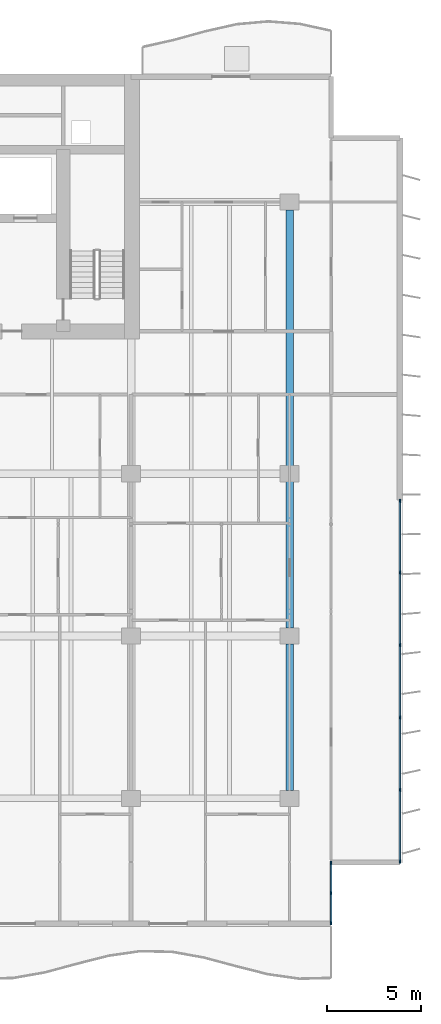
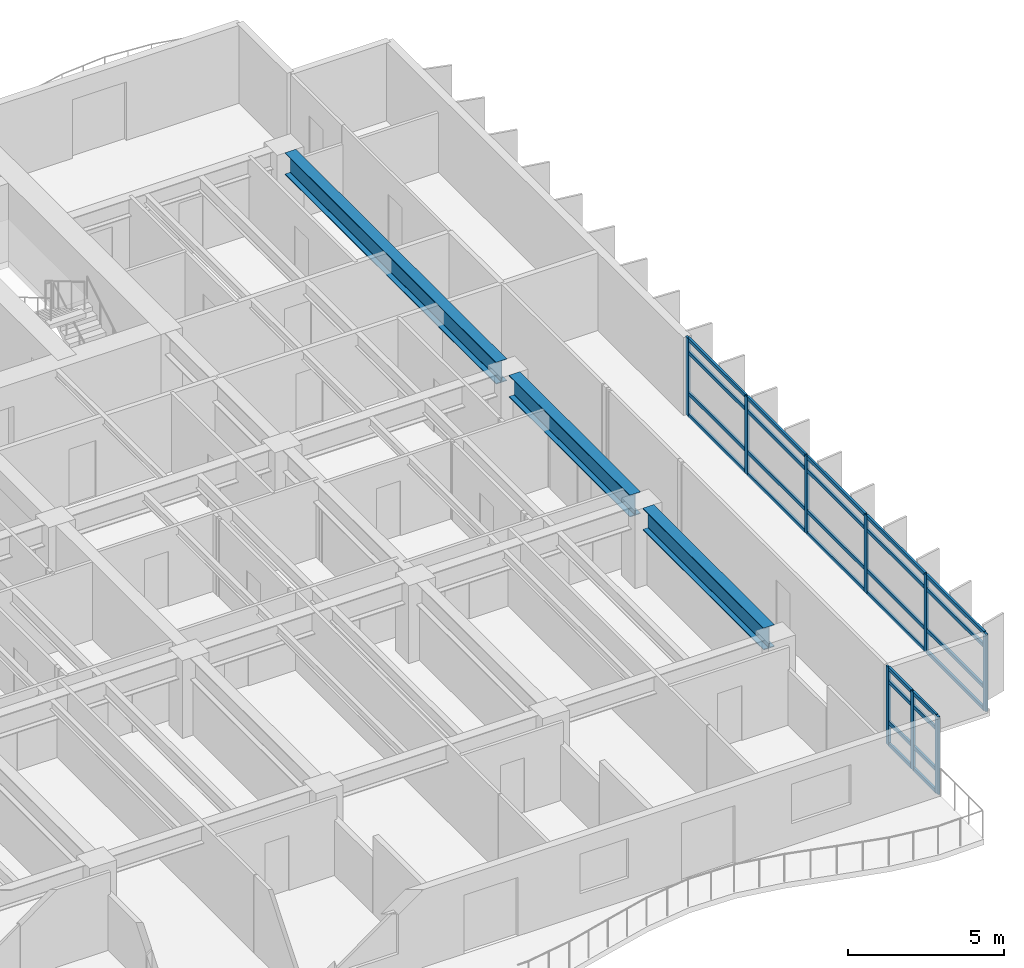
# One storey, part 4 of 19: 37 members, 3 beams, 2 elements without a shape of their own.
"""IFC4 building model written with IfcOpenShell, lengths in metres."""

import ifcopenshell
import ifcopenshell.guid

model = None  # the IFC model being written
_history = None  # IfcOwnerHistory: only IFC2X3 demands one
_inside = {}  # id of a spatial element -> (the spatial element, [elements in it])
_under = {}  # id of a project, library or spatial element -> (it, [spatial elements below it])
_declared = {}  # id of a project -> (the project, [libraries it declares])
_typed = {}  # id of a type object -> (the type object, [elements of that type])
_made_of = {}  # id of a material, layer set ... -> (it, [elements and type objects made of it])


def new_model(schema):
    """Start an empty IFC model of exactly this schema.

    Asked for "IFC4X3", IfcOpenShell would pick the latest addendum, in which some entities
    have other attributes; the version numbers below select the first issue.
    IFC2X3 requires an IfcOwnerHistory on every rooted entity: one is made here for all.
    """
    global model, _history
    if schema == "IFC4X3":
        model = ifcopenshell.file(schema_version=(4, 3, 0, 0))
    else:
        model = ifcopenshell.file(schema=schema)
    _inside.clear()
    _under.clear()
    _declared.clear()
    _typed.clear()
    _made_of.clear()
    _history = None
    if model.schema == "IFC2X3":
        org = make("IfcOrganization", Name="unknown")
        user = make(
            "IfcPersonAndOrganization",
            ThePerson=make("IfcPerson", FamilyName="unknown"),
            TheOrganization=org,
        )
        app = make(
            "IfcApplication",
            ApplicationDeveloper=org,
            Version="unknown",
            ApplicationFullName="unknown",
            ApplicationIdentifier="unknown",
        )
        _history = make(
            "IfcOwnerHistory",
            OwningUser=user,
            OwningApplication=app,
            ChangeAction="ADDED",
            CreationDate=0,
        )
    return model


def make(cls, **values):
    """One entity of the class cls with the attributes given. An attribute that is None is left unset."""
    return model.create_entity(
        cls, **{name: value for name, value in values.items() if value is not None}
    )


def rooted(cls, **values):
    """An entity with a GlobalId (a new one), such as an element, a storey or a relation."""
    return make(cls, GlobalId=ifcopenshell.guid.new(), OwnerHistory=_history, **values)


def si_unit(unit_type, name, prefix=None):
    """IfcSIUnit, for example si_unit("LENGTHUNIT", "METRE", prefix="MILLI")."""
    return make("IfcSIUnit", UnitType=unit_type, Prefix=prefix, Name=name)


def assignment(units):
    """IfcUnitAssignment: the units of a project."""
    return None if units is None else make("IfcUnitAssignment", Units=units)


def point(xyz):
    """IfcCartesianPoint."""
    return None if xyz is None else make("IfcCartesianPoint", Coordinates=xyz)


def direction(xyz):
    """IfcDirection."""
    return None if xyz is None else make("IfcDirection", DirectionRatios=xyz)


def frame(location, z_axis=None, x_axis=None):
    """IfcAxis2Placement3D, a coordinate frame: its origin and axes. An axis left out is left unset."""
    return make(
        "IfcAxis2Placement3D",
        Location=point(location),
        Axis=direction(z_axis),
        RefDirection=direction(x_axis),
    )


def frame_2d(location, x_axis=None):
    """IfcAxis2Placement2D, a coordinate frame in the plane: its origin and x axis."""
    return make(
        "IfcAxis2Placement2D", Location=point(location), RefDirection=direction(x_axis)
    )


def origin():
    """The frame at (0, 0, 0) with its axes left unset."""
    return frame((0.0, 0.0, 0.0))


def origin_2d():
    """The frame at (0, 0) in the plane with its x axis left unset."""
    return frame_2d((0.0, 0.0))


def place(relative_to, where):
    """IfcLocalPlacement: puts the frame where relative to a parent placement (None: the world)."""
    return make(
        "IfcLocalPlacement", PlacementRelTo=relative_to, RelativePlacement=where
    )


def context(
    kind, dimensions, precision=None, world=None, true_north=None, identifier=None
):
    """IfcGeometricRepresentationContext, for example the 3D "Model" context."""
    return make(
        "IfcGeometricRepresentationContext",
        ContextIdentifier=identifier,
        ContextType=kind,
        CoordinateSpaceDimension=dimensions,
        Precision=precision,
        WorldCoordinateSystem=world,
        TrueNorth=true_north,
    )


def subcontext(parent, identifier, kind, view, scale=None):
    """IfcGeometricRepresentationSubContext, for example "Body" below "Model"."""
    return make(
        "IfcGeometricRepresentationSubContext",
        ContextIdentifier=identifier,
        ContextType=kind,
        ParentContext=parent,
        TargetScale=scale,
        TargetView=view,
    )


def project(units=None, contexts=None):
    """IfcProject with its units and contexts."""
    return rooted(
        "IfcProject",
        Name="project",
        RepresentationContexts=contexts,
        UnitsInContext=assignment(units),
    )


def spatial(cls, under=None, at=None, **own):
    """A site, building, storey or space (cls), placed at a placement, below another one or the project."""
    s = rooted(cls, ObjectPlacement=at, **own)
    if under is not None:
        _under.setdefault(under.id(), (under, []))[1].append(s)
    return s


def profile(cls, at=None, kind="AREA", **sizes):
    """A parametric profile (cls). Its sizes go by their IFC names, for example OverallWidth=200.0."""
    return make(cls, ProfileType=kind, Position=at, **sizes)


def rectangle(**sizes):
    """IfcRectangleProfileDef."""
    return profile("IfcRectangleProfileDef", **sizes)


def i_section(**sizes):
    """IfcIShapeProfileDef."""
    return profile("IfcIShapeProfileDef", **sizes)


def extrude(swept, where, along, depth):
    """IfcExtrudedAreaSolid: the profile swept, set in the frame where, extruded along a direction by depth."""
    return make(
        "IfcExtrudedAreaSolid",
        SweptArea=swept,
        Position=where,
        ExtrudedDirection=direction(along),
        Depth=depth,
    )


def shape(context_of_items, identifier, shape_type, items):
    """IfcShapeRepresentation: the items that make up one representation, for example the "Body"."""
    return make(
        "IfcShapeRepresentation",
        ContextOfItems=context_of_items,
        RepresentationIdentifier=identifier,
        RepresentationType=shape_type,
        Items=items,
    )


def material(Name=None, Category=None):
    """IfcMaterial."""
    return make("IfcMaterial", Name=Name, Category=Category)


def layer(
    of_material, thickness, ventilated=None, Name=None, Category=None, Priority=None
):
    """IfcMaterialLayer: one layer of a wall or slab, of a material (None: an air gap)."""
    return make(
        "IfcMaterialLayer",
        Material=of_material,
        LayerThickness=thickness,
        IsVentilated=ventilated,
        Name=Name,
        Category=Category,
        Priority=Priority,
    )


def layer_set(layers, Name=None):
    """IfcMaterialLayerSet."""
    return make("IfcMaterialLayerSet", MaterialLayers=layers, LayerSetName=Name)


def material_profile(
    of_material, cross_section, Name=None, Category=None, Priority=None
):
    """IfcMaterialProfile: a cross section and its material."""
    return make(
        "IfcMaterialProfile",
        Name=Name,
        Material=of_material,
        Profile=cross_section,
        Priority=Priority,
        Category=Category,
    )


def profile_set(profiles, Name=None, composite=None):
    """IfcMaterialProfileSet."""
    return make(
        "IfcMaterialProfileSet",
        Name=Name,
        MaterialProfiles=profiles,
        CompositeProfile=composite,
    )


def made_of(thing, what):
    """Note that an element or type object is made of a material, layer set ...; save() writes the relation."""
    if what is not None:
        _made_of.setdefault(what.id(), (what, []))[1].append(thing)
    return thing


def type_object(cls, material=None, **own):
    """A type object (cls), such as IfcWallType, which elements share."""
    return made_of(rooted(cls, **own), material)


def element(
    cls,
    number,
    at=None,
    inside=None,
    cuts=None,
    type_object=None,
    material=None,
    context=None,
    identifier="Body",
    shape_type=None,
    held_by="IfcProductDefinitionShape",
    body=None,
    shapes=None,
    **own,
):
    """One element of the class cls, such as IfcWall. Its Tag is "e" and its number.

    at: its placement. inside: the storey or other place that contains it. cuts: it is an
    opening in that element (IfcRelVoidsElement). A single representation is given by context,
    identifier, shape_type and body (its items); several are given by shapes. held_by: the class
    of the entity that holds the representations. save() writes the other relations.
    """
    e = rooted(cls, Tag="e%d" % number, ObjectPlacement=at, **own)
    if body is not None:
        shapes = [shape(context, identifier, shape_type, body)]
    if shapes is not None:
        e.Representation = make(held_by, Representations=shapes)
    if inside is not None:
        _inside.setdefault(inside.id(), (inside, []))[1].append(e)
    if cuts is not None:
        rooted(
            "IfcRelVoidsElement", RelatingBuildingElement=cuts, RelatedOpeningElement=e
        )
    if type_object is not None:
        _typed.setdefault(type_object.id(), (type_object, []))[1].append(e)
    return made_of(e, material)


def aggregate(whole, parts):
    """IfcRelAggregates: a whole, such as a stair, and the parts it consists of."""
    return rooted("IfcRelAggregates", RelatingObject=whole, RelatedObjects=parts)


def save(model, path):
    """Write the relations noted so far, then the file.

    IfcRelAggregates (storeys below a building ...), IfcRelContainedInSpatialStructure (elements
    in a storey), IfcRelDefinesByType, IfcRelAssociatesMaterial and IfcRelDeclares: one each for
    every whole, place, type object, material and project.
    """
    for whole, parts in _under.values():
        aggregate(whole, parts)
    for where, things in _inside.values():
        rooted(
            "IfcRelContainedInSpatialStructure",
            RelatedElements=things,
            RelatingStructure=where,
        )
    for kind, things in _typed.values():
        rooted("IfcRelDefinesByType", RelatedObjects=things, RelatingType=kind)
    for what, things in _made_of.values():
        rooted("IfcRelAssociatesMaterial", RelatedObjects=things, RelatingMaterial=what)
    for by, libraries in _declared.values():
        rooted("IfcRelDeclares", RelatingContext=by, RelatedDefinitions=libraries)
    model.write(path)


model = new_model("IFC4")

# Units and contexts
model_context = context("Model", 3, precision=1e-05, world=origin(), true_north=direction((0.0, 1.0)))
body_context = subcontext(model_context, "Body", "Model", "MODEL_VIEW")
ifc_project = project(units=[si_unit("LENGTHUNIT", "METRE"), si_unit("AREAUNIT", "SQUARE_METRE"), si_unit("VOLUMEUNIT", "CUBIC_METRE"), si_unit("PLANEANGLEUNIT", "RADIAN"), si_unit("MASSUNIT", "GRAM", prefix="KILO")], contexts=[model_context])

# Site, building, storey
site_placement = place(None, origin())
site = spatial("IfcSite", under=ifc_project, at=site_placement, CompositionType="ELEMENT")
building_placement = place(site_placement, origin())
building = spatial("IfcBuilding", under=site, at=building_placement, Name="Caelmar Bay Residences", CompositionType="ELEMENT")
storey_placement = place(building_placement, frame((0.0, 0.0, 115.800048828125)))
storey = spatial("IfcBuildingStorey", under=building, at=storey_placement, Name="L31", CompositionType="ELEMENT", Elevation=115.800048828125)

# Beams
ifc_material_1 = material(Name="Steel ASTM A992 Grade 50", Category="steel")
ifc_material_profile_1 = material_profile(ifc_material_1, i_section(OverallWidth=0.40087890625, OverallDepth=0.861083984375, WebThickness=0.019775390625, FlangeThickness=0.032470703125, FilletRadius=0.017822265625, at=origin_2d()), Name="W33X221")
ifc_profile_set_1 = profile_set([ifc_material_profile_1], Name="Steel ASTM A992 Grade 50")
beam_type = type_object("IfcBeamType", Name="BM-GRD-W33X221", PredefinedType="BEAM", material=ifc_profile_set_1)
for number, where, z_axis, x_axis, name in (
    (1, (67.89990234375, 12.614990234375, 2.619384765625), (0.0, 1.0, 0.0), (-1.0, 0.0, 0.0), "L31 North-South Girder X=67.90 (12.2-20.8)"),
    (2, (67.89990234375, 21.215087890625, 2.619384765625), (0.0, 1.0, 0.0), (-1.0, 0.0, 0.0), "L31 North-South Girder X=67.90 (20.8-29.4)"),
):
    element("IfcBeam", number, at=place(storey_placement, frame(where, z_axis=z_axis, x_axis=x_axis)), inside=storey, type_object=beam_type, Name=name, PredefinedType="BEAM", context=body_context, shape_type="SweptSolid", body=[
        extrude(i_section(OverallWidth=0.40087890625, OverallDepth=0.861083984375, WebThickness=0.019775390625, FlangeThickness=0.032470703125, FilletRadius=0.017822265625, at=origin_2d()), origin(), (0.0, 0.0, 1.0), 7.77001953125),
    ])
beam_placement = place(storey_placement, frame((67.89990234375, 29.81494140625, 2.619384765625), z_axis=(0.0, 1.0, 0.0), x_axis=(-1.0, 0.0, 0.0)))
element("IfcBeam", 3, at=beam_placement, inside=storey, type_object=beam_type, Name="L31 North-South Girder X=67.90 (29.4-43.8)", PredefinedType="BEAM", context=body_context, shape_type="SweptSolid", body=[
    extrude(i_section(OverallWidth=0.40087890625, OverallDepth=0.861083984375, WebThickness=0.019775390625, FlangeThickness=0.032470703125, FilletRadius=0.017822265625, at=origin_2d()), origin(), (0.0, 0.0, 1.0), 13.570068359375),
])

# Curtain wall, members
ifc_material_2 = material(Name="Anodised bronze aluminium 6063-T6 and laminated glass", Category="aluminium")
ifc_layer_1 = layer(ifc_material_2, 0.179931640625)
ifc_layer_set_1 = layer_set([ifc_layer_1], Name="Anodised bronze aluminium 6063-T6 and laminated glass")
curtain_wall_type_1 = type_object("IfcCurtainWallType", Name="CW6-NTC", PredefinedType="NOTDEFINED", material=ifc_layer_set_1)
curtain_wall_1_placement = place(storey_placement, origin())
curtain_wall_1 = element("IfcCurtainWall", 4, at=curtain_wall_1_placement, inside=storey, type_object=curtain_wall_type_1, Name="CW6 curtain wall L31", PredefinedType="NOTDEFINED")
ifc_material_3 = material(Name="Anodised bronze aluminium 6063-T6", Category="aluminium")
ifc_material_profile_2 = material_profile(ifc_material_3, rectangle(XDim=0.080078125, YDim=0.179931640625, at=origin_2d()), Name="CWM-80X180")
ifc_profile_set_2 = profile_set([ifc_material_profile_2], Name="Anodised bronze aluminium 6063-T6")
member_type_1 = type_object("IfcMemberType", Name="CWM-180", PredefinedType="MULLION", material=ifc_profile_set_2)
member_1_placement = place(storey_placement, frame((70.10009765625, 5.590087890625, 0.0), z_axis=(0.0, 0.0, 1.0), x_axis=(-1.0, 0.0, 0.0)))
member_1 = element("IfcMember", 5, at=member_1_placement, type_object=member_type_1, Name="CW6 mullion 1", PredefinedType="MULLION", context=body_context, shape_type="SweptSolid", body=[
    extrude(rectangle(XDim=0.080078125, YDim=0.179931640625, at=origin_2d()), origin(), (0.0, 0.0, 1.0), 3.050048828125),
])
member_2_placement = place(storey_placement, frame((70.10009765625, 7.175048828125, 0.0), z_axis=(0.0, 0.0, 1.0), x_axis=(-1.0, 0.0, 0.0)))
member_2 = element("IfcMember", 6, at=member_2_placement, type_object=member_type_1, Name="CW6 mullion 2", PredefinedType="MULLION", context=body_context, shape_type="SweptSolid", body=[
    extrude(rectangle(XDim=0.080078125, YDim=0.179931640625, at=origin_2d()), origin(), (0.0, 0.0, 1.0), 3.050048828125),
])
member_3_placement = place(storey_placement, frame((70.10009765625, 8.760009765625, 0.0), z_axis=(0.0, 0.0, 1.0), x_axis=(-1.0, 0.0, 0.0)))
member_3 = element("IfcMember", 7, at=member_3_placement, type_object=member_type_1, Name="CW6 mullion 3", PredefinedType="MULLION", context=body_context, shape_type="SweptSolid", body=[
    extrude(rectangle(XDim=0.080078125, YDim=0.179931640625, at=origin_2d()), origin(), (0.0, 0.0, 1.0), 3.050048828125),
])

ifc_layer_2 = layer(ifc_material_2, 0.179931640625)
ifc_layer_set_2 = layer_set([ifc_layer_2], Name="Anodised bronze aluminium 6063-T6 and laminated glass")
curtain_wall_type_2 = type_object("IfcCurtainWallType", Name="CW3-Z2", PredefinedType="NOTDEFINED", material=ifc_layer_set_2)
curtain_wall_2_placement = place(storey_placement, origin())
curtain_wall_2 = element("IfcCurtainWall", 8, at=curtain_wall_2_placement, inside=storey, type_object=curtain_wall_type_2, Name="CW3 curtain wall L31", PredefinedType="NOTDEFINED")
member_4_placement = place(storey_placement, frame((73.75, 27.9599609375, 0.0), z_axis=(0.0, 0.0, 1.0), x_axis=(1.0, 0.0, 0.0)))
member_4 = element("IfcMember", 9, at=member_4_placement, type_object=member_type_1, Name="CW3 mullion 1", PredefinedType="MULLION", context=body_context, shape_type="SweptSolid", body=[
    extrude(rectangle(XDim=0.080078125, YDim=0.179931640625, at=origin_2d()), origin(), (0.0, 0.0, 1.0), 3.050048828125),
])
member_5_placement = place(storey_placement, frame((73.75, 24.159912109375, 0.0), z_axis=(0.0, 0.0, 1.0), x_axis=(1.0, 0.0, 0.0)))
member_5 = element("IfcMember", 10, at=member_5_placement, type_object=member_type_1, Name="CW3 mullion 2", PredefinedType="MULLION", context=body_context, shape_type="SweptSolid", body=[
    extrude(rectangle(XDim=0.080078125, YDim=0.179931640625, at=origin_2d()), origin(), (0.0, 0.0, 1.0), 3.050048828125),
])
member_6_placement = place(storey_placement, frame((73.75, 20.320068359375, 0.0), z_axis=(0.0, 0.0, 1.0), x_axis=(1.0, 0.0, 0.0)))
member_6 = element("IfcMember", 11, at=member_6_placement, type_object=member_type_1, Name="CW3 mullion 3", PredefinedType="MULLION", context=body_context, shape_type="SweptSolid", body=[
    extrude(rectangle(XDim=0.080078125, YDim=0.179931640625, at=origin_2d()), origin(), (0.0, 0.0, 1.0), 3.050048828125),
])
member_7_placement = place(storey_placement, frame((73.75, 16.47998046875, 0.0), z_axis=(0.0, 0.0, 1.0), x_axis=(1.0, 0.0, 0.0)))
member_7 = element("IfcMember", 12, at=member_7_placement, type_object=member_type_1, Name="CW3 mullion 4", PredefinedType="MULLION", context=body_context, shape_type="SweptSolid", body=[
    extrude(rectangle(XDim=0.080078125, YDim=0.179931640625, at=origin_2d()), origin(), (0.0, 0.0, 1.0), 3.050048828125),
])
member_8_placement = place(storey_placement, frame((73.75, 12.639892578125, 0.0), z_axis=(0.0, 0.0, 1.0), x_axis=(1.0, 0.0, 0.0)))
member_8 = element("IfcMember", 13, at=member_8_placement, type_object=member_type_1, Name="CW3 mullion 5", PredefinedType="MULLION", context=body_context, shape_type="SweptSolid", body=[
    extrude(rectangle(XDim=0.080078125, YDim=0.179931640625, at=origin_2d()), origin(), (0.0, 0.0, 1.0), 3.050048828125),
])
member_9_placement = place(storey_placement, frame((73.75, 8.840087890625, 0.0), z_axis=(0.0, 0.0, 1.0), x_axis=(1.0, 0.0, 0.0)))
member_9 = element("IfcMember", 14, at=member_9_placement, type_object=member_type_1, Name="CW3 mullion 6", PredefinedType="MULLION", context=body_context, shape_type="SweptSolid", body=[
    extrude(rectangle(XDim=0.080078125, YDim=0.179931640625, at=origin_2d()), origin(), (0.0, 0.0, 1.0), 3.050048828125),
])

# Member
ifc_material_profile_3 = material_profile(ifc_material_3, rectangle(XDim=0.080078125, YDim=0.139892578125, at=origin_2d()), Name="CWT-80X140")
ifc_profile_set_3 = profile_set([ifc_material_profile_3], Name="Anodised bronze aluminium 6063-T6")
member_type_2 = type_object("IfcMemberType", Name="CWT-140", PredefinedType="NOTDEFINED", material=ifc_profile_set_3)
member_10_placement = place(storey_placement, frame((70.10009765625, 5.6298828125, 0.0400390625), z_axis=(0.0, 1.0, 0.0), x_axis=(-1.0, 0.0, 0.0)))
member_10 = element("IfcMember", 15, at=member_10_placement, type_object=member_type_2, Name="CW6 transom 1.1", ObjectType="TRANSOM", PredefinedType="USERDEFINED", context=body_context, shape_type="SweptSolid", body=[
    extrude(rectangle(XDim=0.080078125, YDim=0.139892578125, at=origin_2d()), origin(), (0.0, 0.0, 1.0), 1.505126953125),
])

member_11_placement = place(storey_placement, frame((70.10009765625, 5.6298828125, 0.89990234375), z_axis=(0.0, 1.0, 0.0), x_axis=(-1.0, 0.0, 0.0)))
member_11 = element("IfcMember", 16, at=member_11_placement, type_object=member_type_2, Name="CW6 transom 1.2", ObjectType="TRANSOM", PredefinedType="USERDEFINED", context=body_context, shape_type="SweptSolid", body=[
    extrude(rectangle(XDim=0.080078125, YDim=0.139892578125, at=origin_2d()), origin(), (0.0, 0.0, 1.0), 1.505126953125),
])

member_12_placement = place(storey_placement, frame((70.10009765625, 5.6298828125, 2.5), z_axis=(0.0, 1.0, 0.0), x_axis=(-1.0, 0.0, 0.0)))
member_12 = element("IfcMember", 17, at=member_12_placement, type_object=member_type_2, Name="CW6 transom 1.3", ObjectType="TRANSOM", PredefinedType="USERDEFINED", context=body_context, shape_type="SweptSolid", body=[
    extrude(rectangle(XDim=0.080078125, YDim=0.139892578125, at=origin_2d()), origin(), (0.0, 0.0, 1.0), 1.505126953125),
])

member_13_placement = place(storey_placement, frame((70.10009765625, 5.6298828125, 3.010009765625), z_axis=(0.0, 1.0, 0.0), x_axis=(-1.0, 0.0, 0.0)))
member_13 = element("IfcMember", 18, at=member_13_placement, type_object=member_type_2, Name="CW6 transom 1.4", ObjectType="TRANSOM", PredefinedType="USERDEFINED", context=body_context, shape_type="SweptSolid", body=[
    extrude(rectangle(XDim=0.080078125, YDim=0.139892578125, at=origin_2d()), origin(), (0.0, 0.0, 1.0), 1.505126953125),
])

member_14_placement = place(storey_placement, frame((70.10009765625, 7.215087890625, 0.0400390625), z_axis=(0.0, 1.0, 0.0), x_axis=(-1.0, 0.0, 0.0)))
member_14 = element("IfcMember", 19, at=member_14_placement, type_object=member_type_2, Name="CW6 transom 2.1", ObjectType="TRANSOM", PredefinedType="USERDEFINED", context=body_context, shape_type="SweptSolid", body=[
    extrude(rectangle(XDim=0.080078125, YDim=0.139892578125, at=origin_2d()), origin(), (0.0, 0.0, 1.0), 1.5048828125),
])

member_15_placement = place(storey_placement, frame((70.10009765625, 7.215087890625, 0.89990234375), z_axis=(0.0, 1.0, 0.0), x_axis=(-1.0, 0.0, 0.0)))
member_15 = element("IfcMember", 20, at=member_15_placement, type_object=member_type_2, Name="CW6 transom 2.2", ObjectType="TRANSOM", PredefinedType="USERDEFINED", context=body_context, shape_type="SweptSolid", body=[
    extrude(rectangle(XDim=0.080078125, YDim=0.139892578125, at=origin_2d()), origin(), (0.0, 0.0, 1.0), 1.5048828125),
])

member_16_placement = place(storey_placement, frame((70.10009765625, 7.215087890625, 2.5), z_axis=(0.0, 1.0, 0.0), x_axis=(-1.0, 0.0, 0.0)))
member_16 = element("IfcMember", 21, at=member_16_placement, type_object=member_type_2, Name="CW6 transom 2.3", ObjectType="TRANSOM", PredefinedType="USERDEFINED", context=body_context, shape_type="SweptSolid", body=[
    extrude(rectangle(XDim=0.080078125, YDim=0.139892578125, at=origin_2d()), origin(), (0.0, 0.0, 1.0), 1.5048828125),
])

member_17_placement = place(storey_placement, frame((70.10009765625, 7.215087890625, 3.010009765625), z_axis=(0.0, 1.0, 0.0), x_axis=(-1.0, 0.0, 0.0)))
member_17 = element("IfcMember", 22, at=member_17_placement, type_object=member_type_2, Name="CW6 transom 2.4", ObjectType="TRANSOM", PredefinedType="USERDEFINED", context=body_context, shape_type="SweptSolid", body=[
    extrude(rectangle(XDim=0.080078125, YDim=0.139892578125, at=origin_2d()), origin(), (0.0, 0.0, 1.0), 1.5048828125),
])

aggregate(curtain_wall_1, [member_1, member_2, member_3, member_10, member_11, member_12, member_13, member_14, member_15, member_16, member_17])

member_18_placement = place(storey_placement, frame((73.75, 27.919921875, 0.0400390625), z_axis=(0.0, -1.0, 0.0), x_axis=(1.0, 0.0, 0.0)))
member_18 = element("IfcMember", 23, at=member_18_placement, type_object=member_type_2, Name="CW3 transom 1.1", ObjectType="TRANSOM", PredefinedType="USERDEFINED", context=body_context, shape_type="SweptSolid", body=[
    extrude(rectangle(XDim=0.080078125, YDim=0.139892578125, at=origin_2d()), origin(), (0.0, 0.0, 1.0), 3.719970703125),
])

member_19_placement = place(storey_placement, frame((73.75, 27.919921875, 0.89990234375), z_axis=(0.0, -1.0, 0.0), x_axis=(1.0, 0.0, 0.0)))
member_19 = element("IfcMember", 24, at=member_19_placement, type_object=member_type_2, Name="CW3 transom 1.2", ObjectType="TRANSOM", PredefinedType="USERDEFINED", context=body_context, shape_type="SweptSolid", body=[
    extrude(rectangle(XDim=0.080078125, YDim=0.139892578125, at=origin_2d()), origin(), (0.0, 0.0, 1.0), 3.719970703125),
])

member_20_placement = place(storey_placement, frame((73.75, 27.919921875, 2.5), z_axis=(0.0, -1.0, 0.0), x_axis=(1.0, 0.0, 0.0)))
member_20 = element("IfcMember", 25, at=member_20_placement, type_object=member_type_2, Name="CW3 transom 1.3", ObjectType="TRANSOM", PredefinedType="USERDEFINED", context=body_context, shape_type="SweptSolid", body=[
    extrude(rectangle(XDim=0.080078125, YDim=0.139892578125, at=origin_2d()), origin(), (0.0, 0.0, 1.0), 3.719970703125),
])

member_21_placement = place(storey_placement, frame((73.75, 27.919921875, 3.010009765625), z_axis=(0.0, -1.0, 0.0), x_axis=(1.0, 0.0, 0.0)))
member_21 = element("IfcMember", 26, at=member_21_placement, type_object=member_type_2, Name="CW3 transom 1.4", ObjectType="TRANSOM", PredefinedType="USERDEFINED", context=body_context, shape_type="SweptSolid", body=[
    extrude(rectangle(XDim=0.080078125, YDim=0.139892578125, at=origin_2d()), origin(), (0.0, 0.0, 1.0), 3.719970703125),
])

member_22_placement = place(storey_placement, frame((73.75, 24.1201171875, 0.0400390625), z_axis=(0.0, -1.0, 0.0), x_axis=(1.0, 0.0, 0.0)))
member_22 = element("IfcMember", 27, at=member_22_placement, type_object=member_type_2, Name="CW3 transom 2.1", ObjectType="TRANSOM", PredefinedType="USERDEFINED", context=body_context, shape_type="SweptSolid", body=[
    extrude(rectangle(XDim=0.080078125, YDim=0.139892578125, at=origin_2d()), origin(), (0.0, 0.0, 1.0), 3.760009765625),
])

member_23_placement = place(storey_placement, frame((73.75, 24.1201171875, 0.89990234375), z_axis=(0.0, -1.0, 0.0), x_axis=(1.0, 0.0, 0.0)))
member_23 = element("IfcMember", 28, at=member_23_placement, type_object=member_type_2, Name="CW3 transom 2.2", ObjectType="TRANSOM", PredefinedType="USERDEFINED", context=body_context, shape_type="SweptSolid", body=[
    extrude(rectangle(XDim=0.080078125, YDim=0.139892578125, at=origin_2d()), origin(), (0.0, 0.0, 1.0), 3.760009765625),
])

member_24_placement = place(storey_placement, frame((73.75, 24.1201171875, 2.5), z_axis=(0.0, -1.0, 0.0), x_axis=(1.0, 0.0, 0.0)))
member_24 = element("IfcMember", 29, at=member_24_placement, type_object=member_type_2, Name="CW3 transom 2.3", ObjectType="TRANSOM", PredefinedType="USERDEFINED", context=body_context, shape_type="SweptSolid", body=[
    extrude(rectangle(XDim=0.080078125, YDim=0.139892578125, at=origin_2d()), origin(), (0.0, 0.0, 1.0), 3.760009765625),
])

member_25_placement = place(storey_placement, frame((73.75, 24.1201171875, 3.010009765625), z_axis=(0.0, -1.0, 0.0), x_axis=(1.0, 0.0, 0.0)))
member_25 = element("IfcMember", 30, at=member_25_placement, type_object=member_type_2, Name="CW3 transom 2.4", ObjectType="TRANSOM", PredefinedType="USERDEFINED", context=body_context, shape_type="SweptSolid", body=[
    extrude(rectangle(XDim=0.080078125, YDim=0.139892578125, at=origin_2d()), origin(), (0.0, 0.0, 1.0), 3.760009765625),
])

member_26_placement = place(storey_placement, frame((73.75, 20.280029296875, 0.0400390625), z_axis=(0.0, -1.0, 0.0), x_axis=(1.0, 0.0, 0.0)))
member_26 = element("IfcMember", 31, at=member_26_placement, type_object=member_type_2, Name="CW3 transom 3.1", ObjectType="TRANSOM", PredefinedType="USERDEFINED", context=body_context, shape_type="SweptSolid", body=[
    extrude(rectangle(XDim=0.080078125, YDim=0.139892578125, at=origin_2d()), origin(), (0.0, 0.0, 1.0), 3.760009765625),
])

member_27_placement = place(storey_placement, frame((73.75, 20.280029296875, 0.89990234375), z_axis=(0.0, -1.0, 0.0), x_axis=(1.0, 0.0, 0.0)))
member_27 = element("IfcMember", 32, at=member_27_placement, type_object=member_type_2, Name="CW3 transom 3.2", ObjectType="TRANSOM", PredefinedType="USERDEFINED", context=body_context, shape_type="SweptSolid", body=[
    extrude(rectangle(XDim=0.080078125, YDim=0.139892578125, at=origin_2d()), origin(), (0.0, 0.0, 1.0), 3.760009765625),
])

member_28_placement = place(storey_placement, frame((73.75, 20.280029296875, 2.5), z_axis=(0.0, -1.0, 0.0), x_axis=(1.0, 0.0, 0.0)))
member_28 = element("IfcMember", 33, at=member_28_placement, type_object=member_type_2, Name="CW3 transom 3.3", ObjectType="TRANSOM", PredefinedType="USERDEFINED", context=body_context, shape_type="SweptSolid", body=[
    extrude(rectangle(XDim=0.080078125, YDim=0.139892578125, at=origin_2d()), origin(), (0.0, 0.0, 1.0), 3.760009765625),
])

member_29_placement = place(storey_placement, frame((73.75, 20.280029296875, 3.010009765625), z_axis=(0.0, -1.0, 0.0), x_axis=(1.0, 0.0, 0.0)))
member_29 = element("IfcMember", 34, at=member_29_placement, type_object=member_type_2, Name="CW3 transom 3.4", ObjectType="TRANSOM", PredefinedType="USERDEFINED", context=body_context, shape_type="SweptSolid", body=[
    extrude(rectangle(XDim=0.080078125, YDim=0.139892578125, at=origin_2d()), origin(), (0.0, 0.0, 1.0), 3.760009765625),
])

member_30_placement = place(storey_placement, frame((73.75, 16.43994140625, 0.0400390625), z_axis=(0.0, -1.0, 0.0), x_axis=(1.0, 0.0, 0.0)))
member_30 = element("IfcMember", 35, at=member_30_placement, type_object=member_type_2, Name="CW3 transom 4.1", ObjectType="TRANSOM", PredefinedType="USERDEFINED", context=body_context, shape_type="SweptSolid", body=[
    extrude(rectangle(XDim=0.080078125, YDim=0.139892578125, at=origin_2d()), origin(), (0.0, 0.0, 1.0), 3.760009765625),
])

member_31_placement = place(storey_placement, frame((73.75, 16.43994140625, 0.89990234375), z_axis=(0.0, -1.0, 0.0), x_axis=(1.0, 0.0, 0.0)))
member_31 = element("IfcMember", 36, at=member_31_placement, type_object=member_type_2, Name="CW3 transom 4.2", ObjectType="TRANSOM", PredefinedType="USERDEFINED", context=body_context, shape_type="SweptSolid", body=[
    extrude(rectangle(XDim=0.080078125, YDim=0.139892578125, at=origin_2d()), origin(), (0.0, 0.0, 1.0), 3.760009765625),
])

member_32_placement = place(storey_placement, frame((73.75, 16.43994140625, 2.5), z_axis=(0.0, -1.0, 0.0), x_axis=(1.0, 0.0, 0.0)))
member_32 = element("IfcMember", 37, at=member_32_placement, type_object=member_type_2, Name="CW3 transom 4.3", ObjectType="TRANSOM", PredefinedType="USERDEFINED", context=body_context, shape_type="SweptSolid", body=[
    extrude(rectangle(XDim=0.080078125, YDim=0.139892578125, at=origin_2d()), origin(), (0.0, 0.0, 1.0), 3.760009765625),
])

member_33_placement = place(storey_placement, frame((73.75, 16.43994140625, 3.010009765625), z_axis=(0.0, -1.0, 0.0), x_axis=(1.0, 0.0, 0.0)))
member_33 = element("IfcMember", 38, at=member_33_placement, type_object=member_type_2, Name="CW3 transom 4.4", ObjectType="TRANSOM", PredefinedType="USERDEFINED", context=body_context, shape_type="SweptSolid", body=[
    extrude(rectangle(XDim=0.080078125, YDim=0.139892578125, at=origin_2d()), origin(), (0.0, 0.0, 1.0), 3.760009765625),
])

member_34_placement = place(storey_placement, frame((73.75, 12.60009765625, 0.0400390625), z_axis=(0.0, -1.0, 0.0), x_axis=(1.0, 0.0, 0.0)))
member_34 = element("IfcMember", 39, at=member_34_placement, type_object=member_type_2, Name="CW3 transom 5.1", ObjectType="TRANSOM", PredefinedType="USERDEFINED", context=body_context, shape_type="SweptSolid", body=[
    extrude(rectangle(XDim=0.080078125, YDim=0.139892578125, at=origin_2d()), origin(), (0.0, 0.0, 1.0), 3.72021484375),
])

member_35_placement = place(storey_placement, frame((73.75, 12.60009765625, 0.89990234375), z_axis=(0.0, -1.0, 0.0), x_axis=(1.0, 0.0, 0.0)))
member_35 = element("IfcMember", 40, at=member_35_placement, type_object=member_type_2, Name="CW3 transom 5.2", ObjectType="TRANSOM", PredefinedType="USERDEFINED", context=body_context, shape_type="SweptSolid", body=[
    extrude(rectangle(XDim=0.080078125, YDim=0.139892578125, at=origin_2d()), origin(), (0.0, 0.0, 1.0), 3.72021484375),
])

member_36_placement = place(storey_placement, frame((73.75, 12.60009765625, 2.5), z_axis=(0.0, -1.0, 0.0), x_axis=(1.0, 0.0, 0.0)))
member_36 = element("IfcMember", 41, at=member_36_placement, type_object=member_type_2, Name="CW3 transom 5.3", ObjectType="TRANSOM", PredefinedType="USERDEFINED", context=body_context, shape_type="SweptSolid", body=[
    extrude(rectangle(XDim=0.080078125, YDim=0.139892578125, at=origin_2d()), origin(), (0.0, 0.0, 1.0), 3.72021484375),
])

member_37_placement = place(storey_placement, frame((73.75, 12.60009765625, 3.010009765625), z_axis=(0.0, -1.0, 0.0), x_axis=(1.0, 0.0, 0.0)))
member_37 = element("IfcMember", 42, at=member_37_placement, type_object=member_type_2, Name="CW3 transom 5.4", ObjectType="TRANSOM", PredefinedType="USERDEFINED", context=body_context, shape_type="SweptSolid", body=[
    extrude(rectangle(XDim=0.080078125, YDim=0.139892578125, at=origin_2d()), origin(), (0.0, 0.0, 1.0), 3.72021484375),
])

aggregate(curtain_wall_2, [member_4, member_5, member_6, member_7, member_8, member_9, member_18, member_19, member_20, member_21, member_22, member_23, member_24, member_25, member_26, member_27, member_28, member_29, member_30, member_31, member_32, member_33, member_34, member_35, member_36, member_37])

save(model, "model.ifc")
